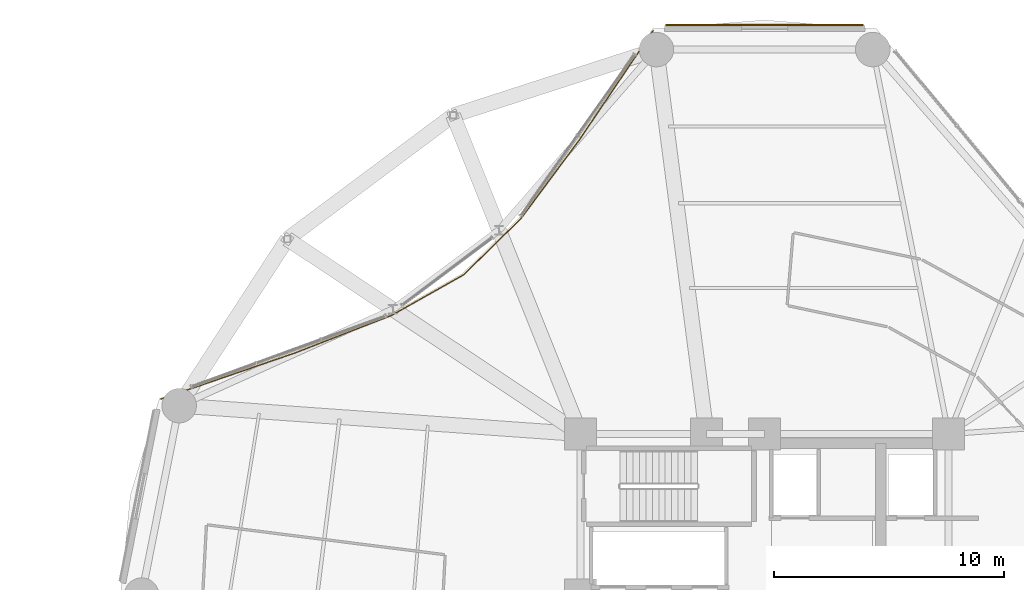
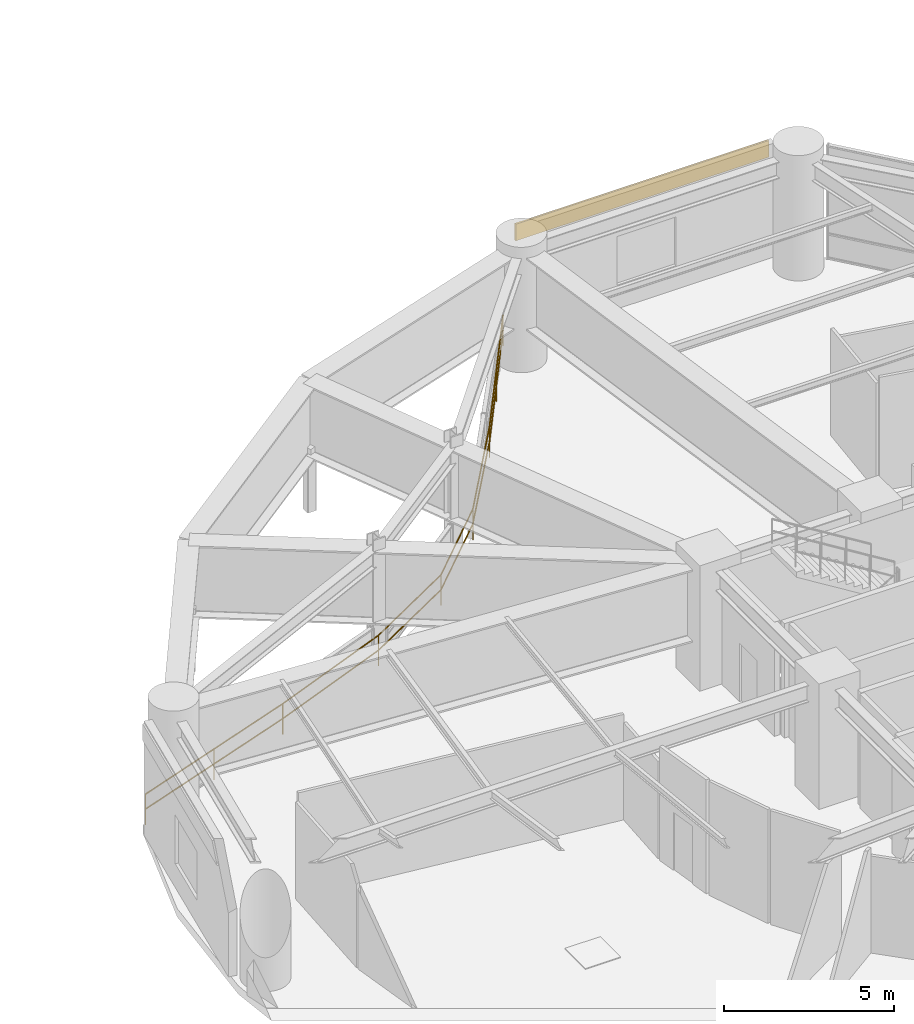
# One storey, part 53 of 53: 1 covering, 1 railing.
"""IFC4 building model written with IfcOpenShell, lengths in metres."""

from ifc_helpers import new_model, si_unit, direction, frame, origin, origin_2d, place, context, subcontext, project, spatial, polyline, rectangle, outline, extrude, source, transform, mapped, material, layer, layer_set, type_object, element, save


model = new_model("IFC4")

# Units and contexts
model_context = context("Model", 3, precision=1e-05, world=origin(), true_north=direction((0.0, 1.0)))
body_context = subcontext(model_context, "Body", "Model", "MODEL_VIEW")
ifc_project = project(units=[si_unit("LENGTHUNIT", "METRE"), si_unit("AREAUNIT", "SQUARE_METRE"), si_unit("VOLUMEUNIT", "CUBIC_METRE"), si_unit("PLANEANGLEUNIT", "RADIAN"), si_unit("MASSUNIT", "GRAM", prefix="KILO")], contexts=[model_context])

# Site, building, storey
site_placement = place(None, origin())
site = spatial("IfcSite", under=ifc_project, at=site_placement, CompositionType="ELEMENT")
building_placement = place(site_placement, origin())
building = spatial("IfcBuilding", under=site, at=building_placement, Name="Kelanora Arch Commons", CompositionType="ELEMENT")
storey_placement = place(building_placement, frame((0.0, 0.0, 9.0)))
storey = spatial("IfcBuildingStorey", under=building, at=storey_placement, Name="L02", CompositionType="ELEMENT", Elevation=9.0)

# Railing
ifc_material_1 = material(Name="Laminated glass and stainless steel balustrade", Category="steel")
railing_type = type_object("IfcRailingType", Name="RAIL-BAL-112", PredefinedType="BALUSTRADE", material=ifc_material_1)
railing_placement = place(storey_placement, frame((69.1533203125, 82.541748046875, 0.0)))
element("IfcRailing", 1, at=railing_placement, inside=storey, type_object=railing_type, Name="Concave Courtyard Overlook Balustrade L02-NW", PredefinedType="BALUSTRADE", context=body_context, shape_type="SweptSolid", body=[
    extrude(outline(polyline([(0.02392578125, 0.0), (0.011962890625, 0.020751953125), (-0.011962890625, 0.020751953125), (-0.02392578125, 0.0), (-0.011962890625, -0.020751953125), (0.011962890625, -0.020751953125), (0.02392578125, 0.0)])), frame((0.0, 0.0, 1.09619140625), z_axis=(-0.559131486201, -0.829078995716, 0.0), x_axis=(0.829078995716, -0.559131486201, 0.0)), (0.0, 0.0, 1.0), 5.749267578125),
    extrude(outline(polyline([(0.02392578125, 0.0), (0.011962890625, 0.020751953125), (-0.011962890625, 0.020751953125), (-0.02392578125, 0.0), (-0.011962890625, -0.020751953125), (0.011962890625, -0.020751953125), (0.02392578125, 0.0)])), frame((0.0, 0.0, 0.56005859375), z_axis=(-0.559131486201, -0.829078995716, 0.0), x_axis=(0.829078995716, -0.559131486201, 0.0)), (0.0, 0.0, 1.0), 5.749267578125),
    extrude(outline(polyline([(0.02392578125, 0.0), (0.011962890625, 0.020751953125), (-0.011962890625, 0.020751953125), (-0.02392578125, 0.0), (-0.011962890625, -0.020751953125), (0.011962890625, -0.020751953125), (0.02392578125, 0.0)])), frame((-3.214599609375, -4.7666015625, 1.09619140625), z_axis=(-0.596176535715, -0.802853372829, 0.0), x_axis=(0.802853372829, -0.596176535715, 0.0)), (0.0, 0.0, 1.0), 4.2373046875),
    extrude(outline(polyline([(0.02392578125, 0.0), (0.011962890625, 0.020751953125), (-0.011962890625, 0.020751953125), (-0.02392578125, 0.0), (-0.011962890625, -0.020751953125), (0.011962890625, -0.020751953125), (0.02392578125, 0.0)])), frame((-3.214599609375, -4.7666015625, 0.56005859375), z_axis=(-0.596176535715, -0.802853372829, 0.0), x_axis=(0.802853372829, -0.596176535715, 0.0)), (0.0, 0.0, 1.0), 4.2373046875),
    extrude(outline(polyline([(0.02392578125, 0.0), (0.011962890625, 0.020751953125), (-0.011962890625, 0.020751953125), (-0.02392578125, 0.0), (-0.011962890625, -0.020751953125), (0.011962890625, -0.020751953125), (0.02392578125, 0.0)])), frame((-5.74072265625, -8.16845703125, 1.09619140625), z_axis=(-0.713532255383, -0.700622380836, 0.0), x_axis=(0.700622380836, -0.713532255383, 0.0)), (0.0, 0.0, 1.0), 3.49853515625),
    extrude(outline(polyline([(0.02392578125, 0.0), (0.011962890625, 0.020751953125), (-0.011962890625, 0.020751953125), (-0.02392578125, 0.0), (-0.011962890625, -0.020751953125), (0.011962890625, -0.020751953125), (0.02392578125, 0.0)])), frame((-5.74072265625, -8.16845703125, 0.56005859375), z_axis=(-0.713532255383, -0.700622380836, 0.0), x_axis=(0.700622380836, -0.713532255383, 0.0)), (0.0, 0.0, 1.0), 3.49853515625),
    extrude(outline(polyline([(0.02392578125, 0.0), (0.011962890625, 0.020751953125), (-0.011962890625, 0.020751953125), (-0.02392578125, 0.0), (-0.011962890625, -0.020751953125), (0.011962890625, -0.020751953125), (0.02392578125, 0.0)])), frame((-8.237060546875, -10.61962890625, 1.09619140625), z_axis=(-0.871394516136, -0.490582915772, 0.0), x_axis=(0.490582915772, -0.871394516136, 0.0)), (0.0, 0.0, 1.0), 3.60302734375),
    extrude(outline(polyline([(0.02392578125, 0.0), (0.011962890625, 0.020751953125), (-0.011962890625, 0.020751953125), (-0.02392578125, 0.0), (-0.011962890625, -0.020751953125), (0.011962890625, -0.020751953125), (0.02392578125, 0.0)])), frame((-8.237060546875, -10.61962890625, 0.56005859375), z_axis=(-0.871394516136, -0.490582915772, 0.0), x_axis=(0.490582915772, -0.871394516136, 0.0)), (0.0, 0.0, 1.0), 3.60302734375),
    extrude(outline(polyline([(0.02392578125, 0.0), (0.011962890625, 0.020751953125), (-0.011962890625, 0.020751953125), (-0.02392578125, 0.0), (-0.011962890625, -0.020751953125), (0.011962890625, -0.020751953125), (0.02392578125, 0.0)])), frame((-11.376708984375, -12.38720703125, 1.09619140625), z_axis=(-0.932102395452, -0.362194870744, 0.0), x_axis=(0.362194870744, -0.932102395452, 0.0)), (0.0, 0.0, 1.0), 4.499267578125),
    extrude(outline(polyline([(0.02392578125, 0.0), (0.011962890625, 0.020751953125), (-0.011962890625, 0.020751953125), (-0.02392578125, 0.0), (-0.011962890625, -0.020751953125), (0.011962890625, -0.020751953125), (0.02392578125, 0.0)])), frame((-11.376708984375, -12.38720703125, 0.56005859375), z_axis=(-0.932102395452, -0.362194870744, 0.0), x_axis=(0.362194870744, -0.932102395452, 0.0)), (0.0, 0.0, 1.0), 4.499267578125),
    extrude(outline(polyline([(0.02392578125, 0.0), (0.011962890625, 0.020751953125), (-0.011962890625, 0.020751953125), (-0.02392578125, 0.0), (-0.011962890625, -0.020751953125), (0.011962890625, -0.020751953125), (0.02392578125, 0.0)])), frame((-15.570556640625, -14.016845703125, 1.09619140625), z_axis=(-0.945734245853, -0.324941127315, 0.0), x_axis=(0.324941127315, -0.945734245853, 0.0)), (0.0, 0.0, 1.0), 6.15185546875),
    extrude(outline(polyline([(0.02392578125, 0.0), (0.011962890625, 0.020751953125), (-0.011962890625, 0.020751953125), (-0.02392578125, 0.0), (-0.011962890625, -0.020751953125), (0.011962890625, -0.020751953125), (0.02392578125, 0.0)])), frame((-15.570556640625, -14.016845703125, 0.56005859375), z_axis=(-0.945734245853, -0.324941127315, 0.0), x_axis=(0.324941127315, -0.945734245853, 0.0)), (0.0, 0.0, 1.0), 6.15185546875),
    extrude(outline(polyline([(0.02099609375, 0.0), (0.010498046875, 0.01806640625), (-0.010498046875, 0.01806640625), (-0.02099609375, 0.0), (-0.010498046875, -0.01806640625), (0.010498046875, -0.01806640625), (0.02099609375, 0.0)])), origin(), (0.0, 0.0, 1.0), 1.072021484375),
    extrude(outline(polyline([(0.02099609375, 0.0), (0.010498046875, 0.01806640625), (-0.010498046875, 0.01806640625), (-0.02099609375, 0.0), (-0.010498046875, -0.01806640625), (0.010498046875, -0.01806640625), (0.02099609375, 0.0)])), frame((-1.607421875, -2.38330078125, 0.0)), (0.0, 0.0, 1.0), 1.072021484375),
    extrude(outline(polyline([(0.02099609375, 0.0), (0.010498046875, 0.01806640625), (-0.010498046875, 0.01806640625), (-0.02099609375, 0.0), (-0.010498046875, -0.01806640625), (0.010498046875, -0.01806640625), (0.02099609375, 0.0)])), frame((-3.214599609375, -4.7666015625, 0.0)), (0.0, 0.0, 1.0), 1.072021484375),
    extrude(outline(polyline([(0.02099609375, 0.0), (0.010498046875, 0.01806640625), (-0.010498046875, 0.01806640625), (-0.02099609375, 0.0), (-0.010498046875, -0.01806640625), (0.010498046875, -0.01806640625), (0.02099609375, 0.0)])), frame((-5.74072265625, -8.16845703125, 0.0)), (0.0, 0.0, 1.0), 1.072021484375),
    extrude(outline(polyline([(0.02099609375, 0.0), (0.010498046875, 0.01806640625), (-0.010498046875, 0.01806640625), (-0.02099609375, 0.0), (-0.010498046875, -0.01806640625), (0.010498046875, -0.01806640625), (0.02099609375, 0.0)])), frame((-8.237060546875, -10.61962890625, 0.0)), (0.0, 0.0, 1.0), 1.072021484375),
    extrude(outline(polyline([(0.02099609375, 0.0), (0.010498046875, 0.01806640625), (-0.010498046875, 0.01806640625), (-0.02099609375, 0.0), (-0.010498046875, -0.01806640625), (0.010498046875, -0.01806640625), (0.02099609375, 0.0)])), frame((-11.376708984375, -12.38720703125, 0.0)), (0.0, 0.0, 1.0), 1.072021484375),
    extrude(outline(polyline([(0.02099609375, 0.0), (0.010498046875, 0.01806640625), (-0.010498046875, 0.01806640625), (-0.02099609375, 0.0), (-0.010498046875, -0.01806640625), (0.010498046875, -0.01806640625), (0.02099609375, 0.0)])), frame((-15.570556640625, -14.016845703125, 0.0)), (0.0, 0.0, 1.0), 1.072021484375),
    extrude(outline(polyline([(0.02099609375, 0.0), (0.010498046875, 0.01806640625), (-0.010498046875, 0.01806640625), (-0.02099609375, 0.0), (-0.010498046875, -0.01806640625), (0.010498046875, -0.01806640625), (0.02099609375, 0.0)])), frame((-18.4794921875, -15.016357421875, 0.0)), (0.0, 0.0, 1.0), 1.072021484375),
    extrude(outline(polyline([(0.02099609375, 0.0), (0.010498046875, 0.01806640625), (-0.010498046875, 0.01806640625), (-0.02099609375, 0.0), (-0.010498046875, -0.01806640625), (0.010498046875, -0.01806640625), (0.02099609375, 0.0)])), frame((-21.388671875, -16.015869140625, 0.0)), (0.0, 0.0, 1.0), 1.072021484375),
])

# Covering
ifc_material_2 = material(Name="Glazed architectural terracotta spandrel cladding", Category="masonry")
ifc_layer = layer(ifc_material_2, 0.06005859375)
ifc_layer_set = layer_set([ifc_layer], Name="Glazed architectural terracotta spandrel cladding")
covering_type = type_object("IfcCoveringType", Name="COV-CLAD-TC", PredefinedType="CLADDING", material=ifc_layer_set)
shared_shape = source(origin(), body_context, "Body", "SweptSolid", [
    extrude(rectangle(XDim=8.591796875, YDim=0.06005859375, at=origin_2d()), origin(), (0.0, 0.0, 1.0), 0.60009765625),
])
covering_placement = place(storey_placement, frame((74.0, 82.7783203125, 3.43505859375), z_axis=(0.0, 0.0, 1.0), x_axis=(-1.0, 0.0, 0.0)))
element("IfcCovering", 2, at=covering_placement, inside=storey, type_object=covering_type, Name="Terracotta Spandrel Cladding L02-B04", PredefinedType="CLADDING", context=body_context, shape_type="MappedRepresentation", body=[
    mapped(shared_shape, transform((0.0, 0.0, 0.0), scale=1.0)),
])

save(model, "model.ifc")
